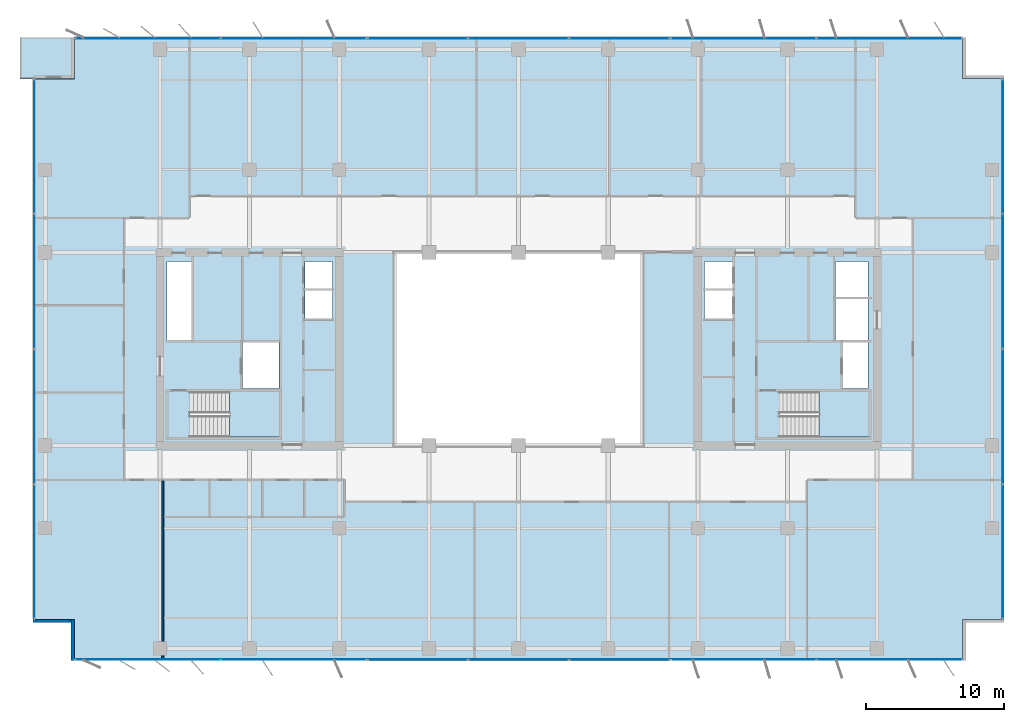
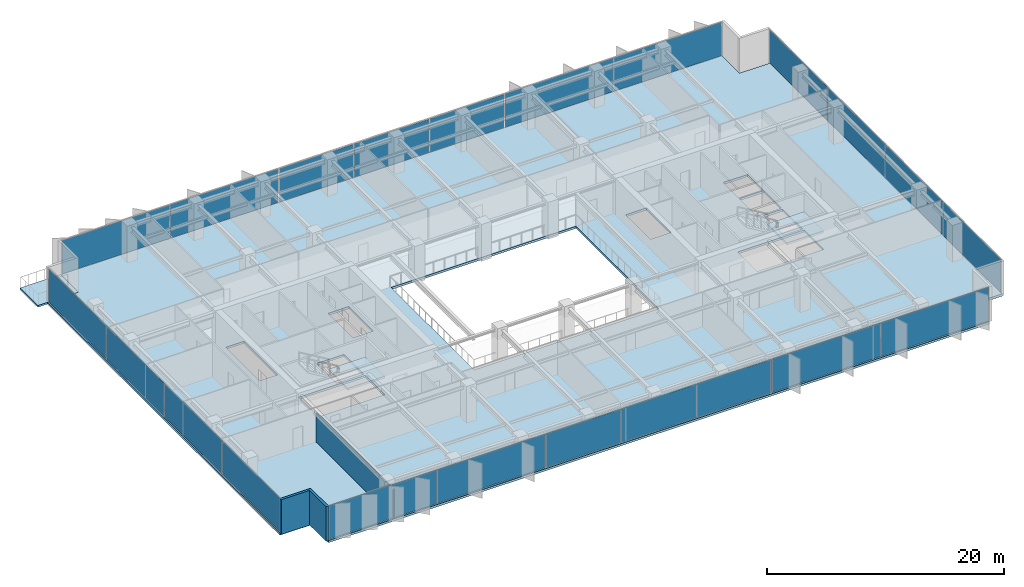
# One storey, part 14 of 22: 22 plates, 4 slabs, 3 walls, 10 elements without a shape of their own.
"""IFC4 building model written with IfcOpenShell, lengths in metres."""

from ifc_helpers import new_model, si_unit, direction, frame, frame_2d, origin, origin_2d, place, context, subcontext, project, spatial, polyline, rectangle, outline, extrude, material, layer, layer_set, type_object, element, aggregate, save


model = new_model("IFC4")

# Units and contexts
model_context = context("Model", 3, precision=1e-05, world=origin(), true_north=direction((0.0, 1.0)))
body_context = subcontext(model_context, "Body", "Model", "MODEL_VIEW")
ifc_project = project(units=[si_unit("LENGTHUNIT", "METRE"), si_unit("AREAUNIT", "SQUARE_METRE"), si_unit("VOLUMEUNIT", "CUBIC_METRE"), si_unit("PLANEANGLEUNIT", "RADIAN"), si_unit("MASSUNIT", "GRAM", prefix="KILO")], contexts=[model_context])

# Site, building, storey
site_placement = place(None, origin())
site = spatial("IfcSite", under=ifc_project, at=site_placement, CompositionType="ELEMENT")
building_placement = place(site_placement, origin())
building = spatial("IfcBuilding", under=site, at=building_placement, Name="Putna Gate Headquarters", CompositionType="ELEMENT")
storey_placement = place(building_placement, frame((0.0, 0.0, 155.60009765625)))
storey = spatial("IfcBuildingStorey", under=building, at=storey_placement, Name="L38", CompositionType="ELEMENT", Elevation=155.60009765625)

# Stair, slab
ifc_material_1 = material(Name="Concrete C40/50", Category="concrete")
stair_type_1 = type_object("IfcStairType", Name="STAIR-ST1", PredefinedType="HALF_TURN_STAIR", material=ifc_material_1)
stair_1_placement = place(storey_placement, origin())
stair_1 = element("IfcStair", 1, at=stair_1_placement, inside=storey, type_object=stair_type_1, Name="L38 West Core Exit Stair ST1", PredefinedType="HALF_TURN_STAIR")
ifc_layer_1 = layer(ifc_material_1, 0.199951171875)
ifc_layer_set_1 = layer_set([ifc_layer_1], Name="Concrete C40/50")
slab_type_1 = type_object("IfcSlabType", Name="LANDING-ST1", PredefinedType="LANDING", material=ifc_layer_set_1)
slab_1_placement = place(storey_placement, frame((0.0, 0.0, 1.699951171875)))
slab_1 = element("IfcSlab", 2, at=slab_1_placement, type_object=slab_type_1, Name="ST1 landing 1", PredefinedType="LANDING", context=body_context, shape_type="SweptSolid", body=[
    extrude(outline(polyline([(18.050048828125, 19.60009765625), (21.64990234375, 19.60009765625), (21.64990234375, 22.89990234375), (18.050048828125, 22.89990234375), (18.050048828125, 19.60009765625)])), origin(), (0.0, 0.0, 1.0), 0.199951171875),
])
aggregate(stair_1, [slab_1])

stair_type_2 = type_object("IfcStairType", Name="STAIR-ST2", PredefinedType="HALF_TURN_STAIR", material=ifc_material_1)
stair_2_placement = place(storey_placement, origin())
stair_2 = element("IfcStair", 3, at=stair_2_placement, inside=storey, type_object=stair_type_2, Name="L38 East Core Exit Stair ST2", PredefinedType="HALF_TURN_STAIR")
ifc_layer_2 = layer(ifc_material_1, 0.199951171875)
ifc_layer_set_2 = layer_set([ifc_layer_2], Name="Concrete C40/50")
slab_type_2 = type_object("IfcSlabType", Name="LANDING-ST2", PredefinedType="LANDING", material=ifc_layer_set_2)
slab_2_placement = place(storey_placement, frame((0.0, 0.0, 1.699951171875)))
slab_2 = element("IfcSlab", 4, at=slab_2_placement, type_object=slab_type_2, Name="ST2 landing 1", PredefinedType="LANDING", context=body_context, shape_type="SweptSolid", body=[
    extrude(outline(polyline([(60.800048828125, 19.60009765625), (64.39990234375, 19.60009765625), (64.39990234375, 22.89990234375), (60.800048828125, 22.89990234375), (60.800048828125, 19.60009765625)])), origin(), (0.0, 0.0, 1.0), 0.199951171875),
])
aggregate(stair_2, [slab_2])

# Curtain wall, plates
ifc_material_2 = material(Name="Anodised bronze aluminium curtain wall", Category="aluminium")
ifc_layer_3 = layer(ifc_material_2, 0.159912109375)
ifc_layer_set_3 = layer_set([ifc_layer_3], Name="Anodised bronze aluminium curtain wall")
curtain_wall_type_1 = type_object("IfcCurtainWallType", Name="CW-SYS-Z3", PredefinedType="USERDEFINED", material=ifc_layer_set_3)
curtain_wall_1_placement = place(storey_placement, origin())
curtain_wall_1 = element("IfcCurtainWall", 5, at=curtain_wall_1_placement, inside=storey, type_object=curtain_wall_type_1, Name="L38 South West Curtain Wall", ObjectType="STICK CURTAIN WALL", PredefinedType="USERDEFINED")
ifc_material_3 = material(Name="Solar-control triple low-E glass", Category="glass")
ifc_layer_4 = layer(ifc_material_3, 0.028076171875)
ifc_layer_set_4 = layer_set([ifc_layer_4], Name="Solar-control triple low-E glass")
plate_type_1 = type_object("IfcPlateType", Name="PAN-CWP-3", PredefinedType="CURTAIN_PANEL", material=ifc_layer_set_4)
plate_1_placement = place(storey_placement, frame((12.1162109375, 3.47998046875, 0.06005859375), z_axis=(0.0, 0.0, 1.0), x_axis=(1.0, 0.0, 0.0)))
plate_1 = element("IfcPlate", 6, at=plate_1_placement, type_object=plate_type_1, Name="CWS-3 panel 1.1", PredefinedType="CURTAIN_PANEL", context=body_context, shape_type="SweptSolid", body=[
    extrude(rectangle(XDim=10.50244140625, YDim=0.028076171875, at=origin_2d()), origin(), (0.0, 0.0, 1.0), 3.451904296875),
])
plate_2_placement = place(storey_placement, frame((22.683837890625, 3.47998046875, 0.06005859375), z_axis=(0.0, 0.0, 1.0), x_axis=(1.0, 0.0, 0.0)))
plate_2 = element("IfcPlate", 7, at=plate_2_placement, type_object=plate_type_1, Name="CWS-3 panel 2.1", PredefinedType="CURTAIN_PANEL", context=body_context, shape_type="SweptSolid", body=[
    extrude(rectangle(XDim=10.50244140625, YDim=0.028076171875, at=origin_2d()), origin(), (0.0, 0.0, 1.0), 3.451904296875),
])
aggregate(curtain_wall_1, [plate_1, plate_2])

curtain_wall_2_placement = place(storey_placement, origin())
curtain_wall_2 = element("IfcCurtainWall", 8, at=curtain_wall_2_placement, inside=storey, type_object=curtain_wall_type_1, Name="L38 South East Curtain Wall", ObjectType="STICK CURTAIN WALL", PredefinedType="USERDEFINED")
plate_3_placement = place(storey_placement, frame((55.316162109375, 3.47998046875, 0.06005859375), z_axis=(0.0, 0.0, 1.0), x_axis=(1.0, 0.0, 0.0)))
plate_3 = element("IfcPlate", 9, at=plate_3_placement, type_object=plate_type_1, Name="CWS-3 panel 1.1", PredefinedType="CURTAIN_PANEL", context=body_context, shape_type="SweptSolid", body=[
    extrude(rectangle(XDim=10.50244140625, YDim=0.028076171875, at=origin_2d()), origin(), (0.0, 0.0, 1.0), 3.451904296875),
])
plate_4_placement = place(storey_placement, frame((65.8837890625, 3.47998046875, 0.06005859375), z_axis=(0.0, 0.0, 1.0), x_axis=(1.0, 0.0, 0.0)))
plate_4 = element("IfcPlate", 10, at=plate_4_placement, type_object=plate_type_1, Name="CWS-3 panel 2.1", PredefinedType="CURTAIN_PANEL", context=body_context, shape_type="SweptSolid", body=[
    extrude(rectangle(XDim=10.50244140625, YDim=0.028076171875, at=origin_2d()), origin(), (0.0, 0.0, 1.0), 3.451904296875),
])
aggregate(curtain_wall_2, [plate_3, plate_4])

curtain_wall_3_placement = place(storey_placement, origin())
curtain_wall_3 = element("IfcCurtainWall", 11, at=curtain_wall_3_placement, inside=storey, type_object=curtain_wall_type_1, Name="L38 North West Curtain Wall", ObjectType="STICK CURTAIN WALL", PredefinedType="USERDEFINED")
plate_5_placement = place(storey_placement, frame((12.1162109375, 48.52001953125, 0.06005859375), z_axis=(0.0, 0.0, 1.0), x_axis=(1.0, 0.0, 0.0)))
plate_5 = element("IfcPlate", 12, at=plate_5_placement, type_object=plate_type_1, Name="CWS-3 panel 1.1", PredefinedType="CURTAIN_PANEL", context=body_context, shape_type="SweptSolid", body=[
    extrude(rectangle(XDim=10.50244140625, YDim=0.028076171875, at=origin_2d()), origin(), (0.0, 0.0, 1.0), 3.451904296875),
])
plate_6_placement = place(storey_placement, frame((22.683837890625, 48.52001953125, 0.06005859375), z_axis=(0.0, 0.0, 1.0), x_axis=(1.0, 0.0, 0.0)))
plate_6 = element("IfcPlate", 13, at=plate_6_placement, type_object=plate_type_1, Name="CWS-3 panel 2.1", PredefinedType="CURTAIN_PANEL", context=body_context, shape_type="SweptSolid", body=[
    extrude(rectangle(XDim=10.50244140625, YDim=0.028076171875, at=origin_2d()), origin(), (0.0, 0.0, 1.0), 3.451904296875),
])
aggregate(curtain_wall_3, [plate_5, plate_6])

curtain_wall_4_placement = place(storey_placement, origin())
curtain_wall_4 = element("IfcCurtainWall", 14, at=curtain_wall_4_placement, inside=storey, type_object=curtain_wall_type_1, Name="L38 North East Curtain Wall", ObjectType="STICK CURTAIN WALL", PredefinedType="USERDEFINED")
plate_7_placement = place(storey_placement, frame((55.316162109375, 48.52001953125, 0.06005859375), z_axis=(0.0, 0.0, 1.0), x_axis=(1.0, 0.0, 0.0)))
plate_7 = element("IfcPlate", 15, at=plate_7_placement, type_object=plate_type_1, Name="CWS-3 panel 1.1", PredefinedType="CURTAIN_PANEL", context=body_context, shape_type="SweptSolid", body=[
    extrude(rectangle(XDim=10.50244140625, YDim=0.028076171875, at=origin_2d()), origin(), (0.0, 0.0, 1.0), 3.451904296875),
])
plate_8_placement = place(storey_placement, frame((65.8837890625, 48.52001953125, 0.06005859375), z_axis=(0.0, 0.0, 1.0), x_axis=(1.0, 0.0, 0.0)))
plate_8 = element("IfcPlate", 16, at=plate_8_placement, type_object=plate_type_1, Name="CWS-3 panel 2.1", PredefinedType="CURTAIN_PANEL", context=body_context, shape_type="SweptSolid", body=[
    extrude(rectangle(XDim=10.50244140625, YDim=0.028076171875, at=origin_2d()), origin(), (0.0, 0.0, 1.0), 3.451904296875),
])
aggregate(curtain_wall_4, [plate_7, plate_8])

curtain_wall_5_placement = place(storey_placement, origin())
curtain_wall_5 = element("IfcCurtainWall", 17, at=curtain_wall_5_placement, inside=storey, type_object=curtain_wall_type_1, Name="L38 West Curtain Wall", ObjectType="STICK CURTAIN WALL", PredefinedType="USERDEFINED")
plate_9_placement = place(storey_placement, frame((3.8798828125, 11.316162109375, 0.06005859375), z_axis=(0.0, 0.0, 1.0), x_axis=(0.0, 1.0, 0.0)))
plate_9 = element("IfcPlate", 18, at=plate_9_placement, type_object=plate_type_1, Name="CWS-3 panel 1.1", PredefinedType="CURTAIN_PANEL", context=body_context, shape_type="SweptSolid", body=[
    extrude(rectangle(XDim=9.702392578125, YDim=0.028076171875, at=origin_2d()), origin(), (0.0, 0.0, 1.0), 3.451904296875),
])
plate_10_placement = place(storey_placement, frame((3.8798828125, 21.10009765625, 0.06005859375), z_axis=(0.0, 0.0, 1.0), x_axis=(0.0, 1.0, 0.0)))
plate_10 = element("IfcPlate", 19, at=plate_10_placement, type_object=plate_type_1, Name="CWS-3 panel 2.1", PredefinedType="CURTAIN_PANEL", context=body_context, shape_type="SweptSolid", body=[
    extrude(rectangle(XDim=9.735107421875, YDim=0.028076171875, at=origin_2d()), origin(), (0.0, 0.0, 1.0), 3.451904296875),
])
plate_11_placement = place(storey_placement, frame((3.8798828125, 30.89990234375, 0.06005859375), z_axis=(0.0, 0.0, 1.0), x_axis=(0.0, 1.0, 0.0)))
plate_11 = element("IfcPlate", 20, at=plate_11_placement, type_object=plate_type_1, Name="CWS-3 panel 3.1", PredefinedType="CURTAIN_PANEL", context=body_context, shape_type="SweptSolid", body=[
    extrude(rectangle(XDim=9.735107421875, YDim=0.028076171875, at=origin_2d()), origin(), (0.0, 0.0, 1.0), 3.451904296875),
])
plate_12_placement = place(storey_placement, frame((3.8798828125, 40.683837890625, 0.06005859375), z_axis=(0.0, 0.0, 1.0), x_axis=(0.0, 1.0, 0.0)))
plate_12 = element("IfcPlate", 21, at=plate_12_placement, type_object=plate_type_1, Name="CWS-3 panel 4.1", PredefinedType="CURTAIN_PANEL", context=body_context, shape_type="SweptSolid", body=[
    extrude(rectangle(XDim=9.702392578125, YDim=0.028076171875, at=origin_2d()), origin(), (0.0, 0.0, 1.0), 3.451904296875),
])
aggregate(curtain_wall_5, [plate_9, plate_10, plate_11, plate_12])

curtain_wall_6_placement = place(storey_placement, origin())
curtain_wall_6 = element("IfcCurtainWall", 22, at=curtain_wall_6_placement, inside=storey, type_object=curtain_wall_type_1, Name="L38 East Curtain Wall", ObjectType="STICK CURTAIN WALL", PredefinedType="USERDEFINED")
plate_13_placement = place(storey_placement, frame((74.1201171875, 11.316162109375, 0.06005859375), z_axis=(0.0, 0.0, 1.0), x_axis=(0.0, 1.0, 0.0)))
plate_13 = element("IfcPlate", 23, at=plate_13_placement, type_object=plate_type_1, Name="CWS-3 panel 1.1", PredefinedType="CURTAIN_PANEL", context=body_context, shape_type="SweptSolid", body=[
    extrude(rectangle(XDim=9.702392578125, YDim=0.028076171875, at=origin_2d()), origin(), (0.0, 0.0, 1.0), 3.451904296875),
])
plate_14_placement = place(storey_placement, frame((74.1201171875, 21.10009765625, 0.06005859375), z_axis=(0.0, 0.0, 1.0), x_axis=(0.0, 1.0, 0.0)))
plate_14 = element("IfcPlate", 24, at=plate_14_placement, type_object=plate_type_1, Name="CWS-3 panel 2.1", PredefinedType="CURTAIN_PANEL", context=body_context, shape_type="SweptSolid", body=[
    extrude(rectangle(XDim=9.735107421875, YDim=0.028076171875, at=origin_2d()), origin(), (0.0, 0.0, 1.0), 3.451904296875),
])
plate_15_placement = place(storey_placement, frame((74.1201171875, 30.89990234375, 0.06005859375), z_axis=(0.0, 0.0, 1.0), x_axis=(0.0, 1.0, 0.0)))
plate_15 = element("IfcPlate", 25, at=plate_15_placement, type_object=plate_type_1, Name="CWS-3 panel 3.1", PredefinedType="CURTAIN_PANEL", context=body_context, shape_type="SweptSolid", body=[
    extrude(rectangle(XDim=9.735107421875, YDim=0.028076171875, at=origin_2d()), origin(), (0.0, 0.0, 1.0), 3.451904296875),
])
plate_16_placement = place(storey_placement, frame((74.1201171875, 40.683837890625, 0.06005859375), z_axis=(0.0, 0.0, 1.0), x_axis=(0.0, 1.0, 0.0)))
plate_16 = element("IfcPlate", 26, at=plate_16_placement, type_object=plate_type_1, Name="CWS-3 panel 4.1", PredefinedType="CURTAIN_PANEL", context=body_context, shape_type="SweptSolid", body=[
    extrude(rectangle(XDim=9.702392578125, YDim=0.028076171875, at=origin_2d()), origin(), (0.0, 0.0, 1.0), 3.451904296875),
])
aggregate(curtain_wall_6, [plate_13, plate_14, plate_15, plate_16])

ifc_layer_5 = layer(ifc_material_2, 0.179931640625)
ifc_layer_set_5 = layer_set([ifc_layer_5], Name="Anodised bronze aluminium curtain wall")
curtain_wall_type_2 = type_object("IfcCurtainWallType", Name="CW-SYS-ATR", PredefinedType="USERDEFINED", material=ifc_layer_set_5)
curtain_wall_7_placement = place(storey_placement, origin())
curtain_wall_7 = element("IfcCurtainWall", 27, at=curtain_wall_7_placement, inside=storey, type_object=curtain_wall_type_2, Name="L38 South Atrium Clear Glazing", ObjectType="ATRIUM GLAZING", PredefinedType="USERDEFINED")
ifc_material_4 = material(Name="Clear low-iron triple glazing", Category="glass")
ifc_layer_6 = layer(ifc_material_4, 0.0400390625)
ifc_layer_set_6 = layer_set([ifc_layer_6], Name="Clear low-iron triple glazing")
plate_type_2 = type_object("IfcPlateType", Name="PAN-CWP-AT", PredefinedType="CURTAIN_PANEL", material=ifc_layer_set_6)
plate_17_placement = place(storey_placement, frame((31.68408203125, 3.47998046875, 0.06982421875), z_axis=(0.0, 0.0, 1.0), x_axis=(1.0, 0.0, 0.0)))
plate_17 = element("IfcPlate", 28, at=plate_17_placement, type_object=plate_type_2, Name="CWS-AT panel 1.1", PredefinedType="CURTAIN_PANEL", context=body_context, shape_type="SweptSolid", body=[
    extrude(rectangle(XDim=7.228271484375, YDim=0.0400390625, at=origin_2d()), origin(), (0.0, 0.0, 1.0), 3.431884765625),
])
plate_18_placement = place(storey_placement, frame((39.0, 3.47998046875, 0.06982421875), z_axis=(0.0, 0.0, 1.0), x_axis=(1.0, 0.0, 0.0)))
plate_18 = element("IfcPlate", 29, at=plate_18_placement, type_object=plate_type_2, Name="CWS-AT panel 2.1", PredefinedType="CURTAIN_PANEL", context=body_context, shape_type="SweptSolid", body=[
    extrude(rectangle(XDim=7.263427734375, YDim=0.0400390625, at=origin_2d()), origin(), (0.0, 0.0, 1.0), 3.431884765625),
])
plate_19_placement = place(storey_placement, frame((46.31591796875, 3.47998046875, 0.06982421875), z_axis=(0.0, 0.0, 1.0), x_axis=(1.0, 0.0, 0.0)))
plate_19 = element("IfcPlate", 30, at=plate_19_placement, type_object=plate_type_2, Name="CWS-AT panel 3.1", PredefinedType="CURTAIN_PANEL", context=body_context, shape_type="SweptSolid", body=[
    extrude(rectangle(XDim=7.228271484375, YDim=0.0400390625, at=origin_2d()), origin(), (0.0, 0.0, 1.0), 3.431884765625),
])
aggregate(curtain_wall_7, [plate_17, plate_18, plate_19])

curtain_wall_8_placement = place(storey_placement, origin())
curtain_wall_8 = element("IfcCurtainWall", 31, at=curtain_wall_8_placement, inside=storey, type_object=curtain_wall_type_2, Name="L38 North Atrium Clear Glazing", ObjectType="ATRIUM GLAZING", PredefinedType="USERDEFINED")
plate_20_placement = place(storey_placement, frame((31.68408203125, 48.52001953125, 0.06982421875), z_axis=(0.0, 0.0, 1.0), x_axis=(1.0, 0.0, 0.0)))
plate_20 = element("IfcPlate", 32, at=plate_20_placement, type_object=plate_type_2, Name="CWS-AT panel 1.1", PredefinedType="CURTAIN_PANEL", context=body_context, shape_type="SweptSolid", body=[
    extrude(rectangle(XDim=7.228271484375, YDim=0.0400390625, at=origin_2d()), origin(), (0.0, 0.0, 1.0), 3.431884765625),
])
plate_21_placement = place(storey_placement, frame((39.0, 48.52001953125, 0.06982421875), z_axis=(0.0, 0.0, 1.0), x_axis=(1.0, 0.0, 0.0)))
plate_21 = element("IfcPlate", 33, at=plate_21_placement, type_object=plate_type_2, Name="CWS-AT panel 2.1", PredefinedType="CURTAIN_PANEL", context=body_context, shape_type="SweptSolid", body=[
    extrude(rectangle(XDim=7.263427734375, YDim=0.0400390625, at=origin_2d()), origin(), (0.0, 0.0, 1.0), 3.431884765625),
])
plate_22_placement = place(storey_placement, frame((46.31591796875, 48.52001953125, 0.06982421875), z_axis=(0.0, 0.0, 1.0), x_axis=(1.0, 0.0, 0.0)))
plate_22 = element("IfcPlate", 34, at=plate_22_placement, type_object=plate_type_2, Name="CWS-AT panel 3.1", PredefinedType="CURTAIN_PANEL", context=body_context, shape_type="SweptSolid", body=[
    extrude(rectangle(XDim=7.228271484375, YDim=0.0400390625, at=origin_2d()), origin(), (0.0, 0.0, 1.0), 3.431884765625),
])
aggregate(curtain_wall_8, [plate_20, plate_21, plate_22])

# Slabs
ifc_layer_7 = layer(ifc_material_1, 0.179931640625)
ifc_layer_set_7 = layer_set([ifc_layer_7], Name="Concrete C40/50")
slab_type_3 = type_object("IfcSlabType", Name="SLAB-TERRACE-180", PredefinedType="FLOOR", material=ifc_layer_set_7)
slab_3_placement = place(storey_placement, frame((0.0, 0.0, -0.18017578125)))
element("IfcSlab", 35, at=slab_3_placement, inside=storey, type_object=slab_type_3, Name="L38 Spiral Sky-Garden Terrace Slab (NW)", PredefinedType="FLOOR", context=body_context, shape_type="SweptSolid", body=[
    extrude(outline(polyline([(2.85009765625, 45.592041015625), (6.80810546875, 45.592041015625), (6.80810546875, 48.60009765625), (2.85009765625, 48.60009765625), (2.85009765625, 45.592041015625)])), origin(), (0.0, 0.0, 1.0), 0.18017578125),
])
ifc_layer_8 = layer(ifc_material_1, 0.22802734375)
ifc_layer_set_8 = layer_set([ifc_layer_8], Name="Concrete C40/50")
slab_type_4 = type_object("IfcSlabType", Name="SLAB-Z3-228", PredefinedType="FLOOR", material=ifc_layer_set_8)
slab_4_placement = place(storey_placement, frame((0.0, 0.0, -0.22802734375)))
element("IfcSlab", 36, at=slab_4_placement, inside=storey, type_object=slab_type_4, Name="L38 Composite Floor Slab", PredefinedType="FLOOR", context=body_context, shape_type="SweptSolid", body=[
    extrude(outline(polyline([(6.800048828125, 3.39990234375), (71.199951171875, 3.39990234375), (71.199951171875, 6.39990234375), (74.199951171875, 6.39990234375), (74.199951171875, 45.60009765625), (71.199951171875, 45.60009765625), (71.199951171875, 48.60009765625), (6.800048828125, 48.60009765625), (6.800048828125, 45.60009765625), (3.800048828125, 45.60009765625), (3.800048828125, 6.39990234375), (6.800048828125, 6.39990234375), (6.800048828125, 3.39990234375)]), holes=[polyline([(15.1650390625, 19.60009765625), (21.64990234375, 19.60009765625), (21.64990234375, 22.89990234375), (15.1650390625, 22.89990234375), (15.1650390625, 19.60009765625)]), polyline([(57.9150390625, 19.60009765625), (64.39990234375, 19.60009765625), (64.39990234375, 22.89990234375), (57.9150390625, 22.89990234375), (57.9150390625, 19.60009765625)]), polyline([(13.52001953125, 26.659912109375), (15.280029296875, 26.659912109375), (15.280029296875, 32.35009765625), (13.52001953125, 32.35009765625), (13.52001953125, 26.659912109375)]), polyline([(61.969970703125, 29.780029296875), (64.35009765625, 29.780029296875), (64.35009765625, 32.35009765625), (61.969970703125, 32.35009765625), (61.969970703125, 29.780029296875)]), polyline([(18.97998046875, 23.1201171875), (21.6201171875, 23.1201171875), (21.6201171875, 26.4599609375), (18.97998046875, 26.4599609375), (18.97998046875, 23.1201171875)]), polyline([(62.52001953125, 23.1201171875), (64.35009765625, 23.1201171875), (64.35009765625, 26.4599609375), (62.52001953125, 26.4599609375), (62.52001953125, 23.1201171875)]), polyline([(61.969970703125, 26.659912109375), (64.35009765625, 26.659912109375), (64.35009765625, 29.6201171875), (61.969970703125, 29.6201171875), (61.969970703125, 26.659912109375)]), polyline([(23.5, 28.199951171875), (25.5, 28.199951171875), (25.5, 32.35009765625), (23.5, 32.35009765625), (23.5, 28.199951171875)]), polyline([(52.47998046875, 28.199951171875), (54.5, 28.199951171875), (54.5, 32.35009765625), (52.47998046875, 32.35009765625), (52.47998046875, 28.199951171875)]), polyline([(30.0, 19.0), (48.0, 19.0), (48.0, 33.0), (30.0, 33.0), (30.0, 19.0)])]), origin(), (0.0, 0.0, 1.0), 0.22802734375),
])

# Walls
ifc_material_5 = material(Name="Precast concrete C40/50", Category="concrete")
ifc_layer_9 = layer(ifc_material_5, 0.239990234375)
ifc_layer_set_9 = layer_set([ifc_layer_9], Name="Precast concrete C40/50")
wall_type_1 = type_object("IfcWallType", Name="WALL-EXT-TERR-240", PredefinedType="STANDARD", material=ifc_layer_set_9)
for number, where, z_axis, x_axis, name in (
    (37, (6.679931640625, 3.39990234375, 0.0), (0.0, 0.0, 1.0), (0.0, 1.0, 0.0), "L38 Corner Notch Return Wall SW-V"),
    (38, (6.800048828125, 6.280029296875, 0.0), (0.0, 0.0, 1.0), (-1.0, 0.0, 0.0), "L38 Corner Notch Return Wall SW-H"),
):
    element("IfcWall", number, at=place(storey_placement, frame(where, z_axis=z_axis, x_axis=x_axis)), inside=storey, type_object=wall_type_1, Name=name, PredefinedType="STANDARD", context=body_context, shape_type="SweptSolid", body=[
        extrude(rectangle(XDim=3.0, YDim=0.239990234375, at=frame_2d((1.5, 0.0))), origin(), (0.0, 0.0, 1.0), 3.572021484375),
    ])
ifc_material_6 = material(Name="Acoustic gypsum board on metal stud")
ifc_layer_10 = layer(ifc_material_6, 0.1201171875)
ifc_layer_set_10 = layer_set([ifc_layer_10], Name="Acoustic gypsum board on metal stud")
wall_type_2 = type_object("IfcWallType", Name="WALL-PART-120", PredefinedType="PARTITIONING", material=ifc_layer_set_10)
wall_placement = place(storey_placement, frame((13.199951171875, 3.419921875, 0.0), z_axis=(0.0, 0.0, 1.0), x_axis=(0.0, 1.0, 0.0)))
element("IfcWall", 39, at=wall_placement, inside=storey, type_object=wall_type_2, Name="L38 Interior Wall PART-L38-SB-DIV-01", PredefinedType="PARTITIONING", context=body_context, shape_type="SweptSolid", body=[
    extrude(rectangle(XDim=13.02001953125, YDim=0.1201171875, at=frame_2d((6.510009765625, 0.0))), origin(), (0.0, 0.0, 1.0), 3.02197265625),
])

save(model, "model.ifc")
